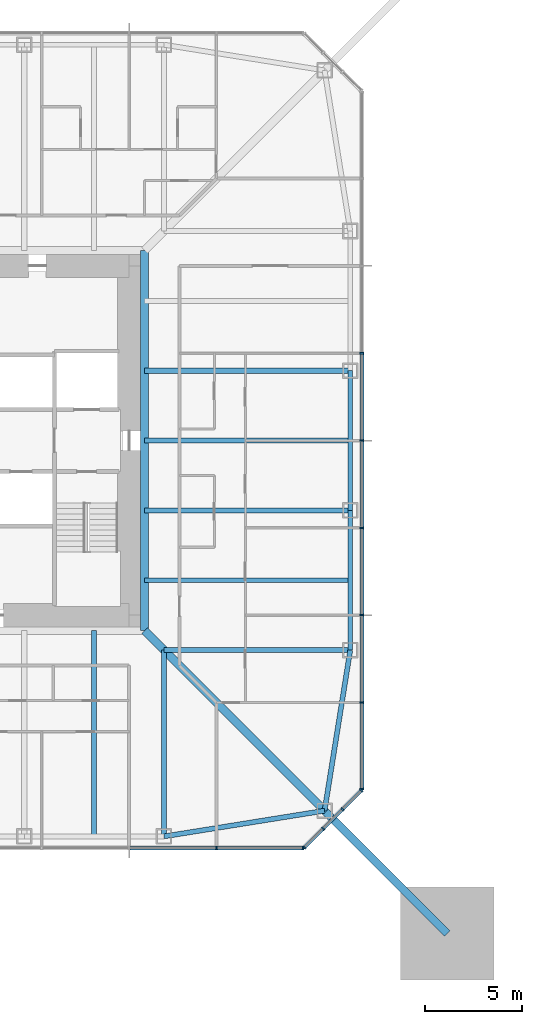
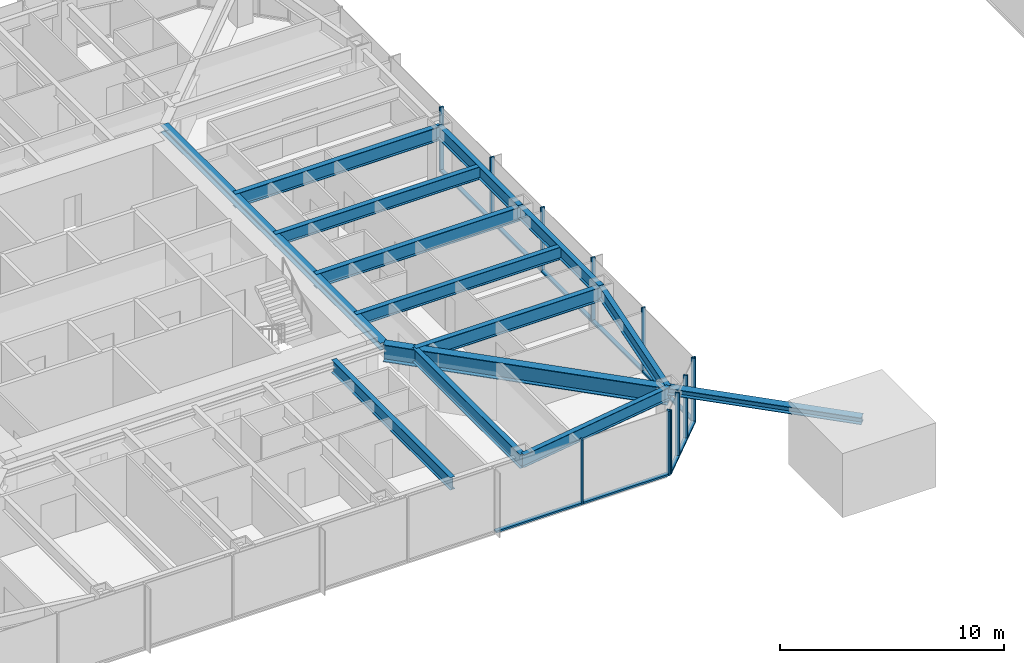
# One storey, part 5 of 25: 23 members, 13 beams, 3 elements without a shape of their own.
"""IFC4 building model written with IfcOpenShell, lengths in metres."""

from ifc_helpers import new_model, si_unit, direction, frame, origin, origin_2d, place, context, subcontext, project, spatial, rectangle, i_section, extrude, material, material_profile, profile_set, type_object, element, aggregate, save


model = new_model("IFC4")

# Units and contexts
model_context = context("Model", 3, precision=1e-05, world=origin(), true_north=direction((0.0, 1.0)))
body_context = subcontext(model_context, "Body", "Model", "MODEL_VIEW")
ifc_project = project(units=[si_unit("LENGTHUNIT", "METRE"), si_unit("AREAUNIT", "SQUARE_METRE"), si_unit("VOLUMEUNIT", "CUBIC_METRE"), si_unit("PLANEANGLEUNIT", "RADIAN"), si_unit("MASSUNIT", "GRAM", prefix="KILO")], contexts=[model_context])

# Site, building, storey
site_placement = place(None, origin())
site = spatial("IfcSite", under=ifc_project, at=site_placement, CompositionType="ELEMENT")
building_placement = place(site_placement, origin())
building = spatial("IfcBuilding", under=site, at=building_placement, Name="Iwan Alto Co-Living Towers", CompositionType="ELEMENT")
storey_placement = place(building_placement, frame((0.0, 0.0, 105.0)))
storey = spatial("IfcBuildingStorey", under=building, at=storey_placement, Name="L28", CompositionType="ELEMENT", Elevation=105.0)

# Curtain wall, members
ifc_material_1 = material(Name="Bronze aluminium unitised frame", Category="aluminium")
curtain_wall_type_1 = type_object("IfcCurtainWallType", Name="CURTAIN WALL CW-A", PredefinedType="NOTDEFINED", material=ifc_material_1)
curtain_wall_1_placement = place(storey_placement, origin())
curtain_wall_1 = element("IfcCurtainWall", 1, at=curtain_wall_1_placement, inside=storey, type_object=curtain_wall_type_1, Name="T1 curtain wall S L28", PredefinedType="NOTDEFINED")
ifc_material_2 = material(Name="Aluminium 6063-T6 bronze anodised", Category="aluminium")
ifc_material_profile_1 = material_profile(ifc_material_2, rectangle(XDim=0.199951171875, YDim=0.080078125, at=origin_2d()), Name="AL 80X200")
ifc_profile_set_1 = profile_set([ifc_material_profile_1], Name="Aluminium 6063-T6 bronze anodised")
member_type_1 = type_object("IfcMemberType", Name="CW-A MULLION 80X200", PredefinedType="MULLION", material=ifc_profile_set_1)
member_1_placement = place(storey_placement, frame((13.5, -21.0, 0.0), z_axis=(0.0, 0.0, 1.0), x_axis=(0.0, 1.0, 0.0)))
member_1 = element("IfcMember", 2, at=member_1_placement, type_object=member_type_1, Name="CW-A mullion 8", PredefinedType="MULLION", context=body_context, shape_type="SweptSolid", body=[
    extrude(rectangle(XDim=0.199951171875, YDim=0.080078125, at=origin_2d()), origin(), (0.0, 0.0, 1.0), 3.5),
])
member_2_placement = place(storey_placement, frame((17.9599609375, -21.0, 0.0), z_axis=(0.0, 0.0, 1.0), x_axis=(0.0, 1.0, 0.0)))
member_2 = element("IfcMember", 3, at=member_2_placement, type_object=member_type_1, Name="CW-A mullion 9", PredefinedType="MULLION", context=body_context, shape_type="SweptSolid", body=[
    extrude(rectangle(XDim=0.199951171875, YDim=0.080078125, at=origin_2d()), origin(), (0.0, 0.0, 1.0), 3.5),
])

curtain_wall_2_placement = place(storey_placement, origin())
curtain_wall_2 = element("IfcCurtainWall", 4, at=curtain_wall_2_placement, inside=storey, type_object=curtain_wall_type_1, Name="T1 curtain wall E L28", PredefinedType="NOTDEFINED")
member_3_placement = place(storey_placement, frame((21.0, -17.9599609375, 0.0), z_axis=(0.0, 0.0, 1.0), x_axis=(-1.0, 0.0, 0.0)))
member_3 = element("IfcMember", 5, at=member_3_placement, type_object=member_type_1, Name="CW-A mullion 1", PredefinedType="MULLION", context=body_context, shape_type="SweptSolid", body=[
    extrude(rectangle(XDim=0.199951171875, YDim=0.080078125, at=origin_2d()), origin(), (0.0, 0.0, 1.0), 3.5),
])
member_4_placement = place(storey_placement, frame((21.0, -13.5, 0.0), z_axis=(0.0, 0.0, 1.0), x_axis=(-1.0, 0.0, 0.0)))
member_4 = element("IfcMember", 6, at=member_4_placement, type_object=member_type_1, Name="CW-A mullion 2", PredefinedType="MULLION", context=body_context, shape_type="SweptSolid", body=[
    extrude(rectangle(XDim=0.199951171875, YDim=0.080078125, at=origin_2d()), origin(), (0.0, 0.0, 1.0), 3.5),
])
member_5_placement = place(storey_placement, frame((21.0, -9.0, 0.0), z_axis=(0.0, 0.0, 1.0), x_axis=(-1.0, 0.0, 0.0)))
member_5 = element("IfcMember", 7, at=member_5_placement, type_object=member_type_1, Name="CW-A mullion 3", PredefinedType="MULLION", context=body_context, shape_type="SweptSolid", body=[
    extrude(rectangle(XDim=0.199951171875, YDim=0.080078125, at=origin_2d()), origin(), (0.0, 0.0, 1.0), 3.5),
])
member_6_placement = place(storey_placement, frame((21.0, -4.5, 0.0), z_axis=(0.0, 0.0, 1.0), x_axis=(-1.0, 0.0, 0.0)))
member_6 = element("IfcMember", 8, at=member_6_placement, type_object=member_type_1, Name="CW-A mullion 4", PredefinedType="MULLION", context=body_context, shape_type="SweptSolid", body=[
    extrude(rectangle(XDim=0.199951171875, YDim=0.080078125, at=origin_2d()), origin(), (0.0, 0.0, 1.0), 3.5),
])
member_7_placement = place(storey_placement, frame((21.0, 0.0, 0.0), z_axis=(0.0, 0.0, 1.0), x_axis=(-1.0, 0.0, 0.0)))
member_7 = element("IfcMember", 9, at=member_7_placement, type_object=member_type_1, Name="CW-A mullion 5", PredefinedType="MULLION", context=body_context, shape_type="SweptSolid", body=[
    extrude(rectangle(XDim=0.199951171875, YDim=0.080078125, at=origin_2d()), origin(), (0.0, 0.0, 1.0), 3.5),
])
member_8_placement = place(storey_placement, frame((21.0, 4.5, 0.0), z_axis=(0.0, 0.0, 1.0), x_axis=(-1.0, 0.0, 0.0)))
member_8 = element("IfcMember", 10, at=member_8_placement, type_object=member_type_1, Name="CW-A mullion 6", PredefinedType="MULLION", context=body_context, shape_type="SweptSolid", body=[
    extrude(rectangle(XDim=0.199951171875, YDim=0.080078125, at=origin_2d()), origin(), (0.0, 0.0, 1.0), 3.5),
])

# Member
ifc_material_3 = material(Name="Aluminium 6063-T6 bronze anodised", Category="aluminium")
ifc_material_profile_2 = material_profile(ifc_material_3, rectangle(XDim=0.199951171875, YDim=0.10009765625, at=origin_2d()), Name="AL 200X100")
ifc_profile_set_2 = profile_set([ifc_material_profile_2], Name="Aluminium 6063-T6 bronze anodised")
member_type_2 = type_object("IfcMemberType", Name="CW-A TRANSOM 200X100", PredefinedType="USERDEFINED", material=ifc_profile_set_2)
member_9_placement = place(storey_placement, frame((9.0400390625, -21.0, 0.050048828125), z_axis=(1.0, 0.0, 0.0), x_axis=(0.0, 1.0, 0.0)))
member_9 = element("IfcMember", 11, at=member_9_placement, type_object=member_type_2, Name="CW-A transom 7.1", ObjectType="TRANSOM", PredefinedType="USERDEFINED", context=body_context, shape_type="SweptSolid", body=[
    extrude(rectangle(XDim=0.199951171875, YDim=0.10009765625, at=origin_2d()), origin(), (0.0, 0.0, 1.0), 4.419921875),
])

member_10_placement = place(storey_placement, frame((13.5400390625, -21.0, 0.050048828125), z_axis=(1.0, 0.0, 0.0), x_axis=(0.0, 1.0, 0.0)))
member_10 = element("IfcMember", 12, at=member_10_placement, type_object=member_type_2, Name="CW-A transom 8.1", ObjectType="TRANSOM", PredefinedType="USERDEFINED", context=body_context, shape_type="SweptSolid", body=[
    extrude(rectangle(XDim=0.199951171875, YDim=0.10009765625, at=origin_2d()), origin(), (0.0, 0.0, 1.0), 4.3798828125),
])

aggregate(curtain_wall_1, [member_1, member_2, member_9, member_10])

member_11_placement = place(storey_placement, frame((21.0, -17.919921875, 0.050048828125), z_axis=(0.0, 1.0, 0.0), x_axis=(-1.0, 0.0, 0.0)))
member_11 = element("IfcMember", 13, at=member_11_placement, type_object=member_type_2, Name="CW-A transom 1.1", ObjectType="TRANSOM", PredefinedType="USERDEFINED", context=body_context, shape_type="SweptSolid", body=[
    extrude(rectangle(XDim=0.199951171875, YDim=0.10009765625, at=origin_2d()), origin(), (0.0, 0.0, 1.0), 4.3798828125),
])

member_12_placement = place(storey_placement, frame((21.0, -13.4599609375, 0.050048828125), z_axis=(0.0, 1.0, 0.0), x_axis=(-1.0, 0.0, 0.0)))
member_12 = element("IfcMember", 14, at=member_12_placement, type_object=member_type_2, Name="CW-A transom 2.1", ObjectType="TRANSOM", PredefinedType="USERDEFINED", context=body_context, shape_type="SweptSolid", body=[
    extrude(rectangle(XDim=0.199951171875, YDim=0.10009765625, at=origin_2d()), origin(), (0.0, 0.0, 1.0), 4.419921875),
])

member_13_placement = place(storey_placement, frame((21.0, -8.9599609375, 0.050048828125), z_axis=(0.0, 1.0, 0.0), x_axis=(-1.0, 0.0, 0.0)))
member_13 = element("IfcMember", 15, at=member_13_placement, type_object=member_type_2, Name="CW-A transom 3.1", ObjectType="TRANSOM", PredefinedType="USERDEFINED", context=body_context, shape_type="SweptSolid", body=[
    extrude(rectangle(XDim=0.199951171875, YDim=0.10009765625, at=origin_2d()), origin(), (0.0, 0.0, 1.0), 4.419921875),
])

member_14_placement = place(storey_placement, frame((21.0, -4.4599609375, 0.050048828125), z_axis=(0.0, 1.0, 0.0), x_axis=(-1.0, 0.0, 0.0)))
member_14 = element("IfcMember", 16, at=member_14_placement, type_object=member_type_2, Name="CW-A transom 4.1", ObjectType="TRANSOM", PredefinedType="USERDEFINED", context=body_context, shape_type="SweptSolid", body=[
    extrude(rectangle(XDim=0.199951171875, YDim=0.10009765625, at=origin_2d()), origin(), (0.0, 0.0, 1.0), 4.419921875),
])

member_15_placement = place(storey_placement, frame((21.0, 0.0400390625, 0.050048828125), z_axis=(0.0, 1.0, 0.0), x_axis=(-1.0, 0.0, 0.0)))
member_15 = element("IfcMember", 17, at=member_15_placement, type_object=member_type_2, Name="CW-A transom 5.1", ObjectType="TRANSOM", PredefinedType="USERDEFINED", context=body_context, shape_type="SweptSolid", body=[
    extrude(rectangle(XDim=0.199951171875, YDim=0.10009765625, at=origin_2d()), origin(), (0.0, 0.0, 1.0), 4.419921875),
])

aggregate(curtain_wall_2, [member_3, member_4, member_5, member_6, member_7, member_8, member_11, member_12, member_13, member_14, member_15])

# Curtain wall, members
ifc_material_4 = material(Name="Bronze aluminium unitised frame", Category="aluminium")
curtain_wall_type_2 = type_object("IfcCurtainWallType", Name="CURTAIN WALL CW-B", PredefinedType="NOTDEFINED", material=ifc_material_4)
curtain_wall_3_placement = place(storey_placement, origin())
curtain_wall_3 = element("IfcCurtainWall", 18, at=curtain_wall_3_placement, inside=storey, type_object=curtain_wall_type_2, Name="T1 chamfer curtain wall SE L28", PredefinedType="NOTDEFINED")
ifc_material_5 = material(Name="Aluminium 6063-T6 bronze anodised", Category="aluminium")
ifc_material_profile_3 = material_profile(ifc_material_5, rectangle(XDim=0.199951171875, YDim=0.080078125, at=origin_2d()), Name="AL 80X200")
ifc_profile_set_3 = profile_set([ifc_material_profile_3], Name="Aluminium 6063-T6 bronze anodised")
member_type_3 = type_object("IfcMemberType", Name="CW-B MULLION 80X200", PredefinedType="MULLION", material=ifc_profile_set_3)
member_16_placement = place(storey_placement, frame((18.0283203125, -20.9716796875, 0.0), z_axis=(0.0, 0.0, 1.0), x_axis=(-0.707106781187, 0.707106781187, 0.0)))
member_16 = element("IfcMember", 19, at=member_16_placement, type_object=member_type_3, Name="CW-B mullion 1", PredefinedType="MULLION", context=body_context, shape_type="SweptSolid", body=[
    extrude(rectangle(XDim=0.199951171875, YDim=0.080078125, at=origin_2d()), origin(), (0.0, 0.0, 1.0), 3.5),
])
member_17_placement = place(storey_placement, frame((19.0, -20.0, 0.0), z_axis=(0.0, 0.0, 1.0), x_axis=(-0.707106781187, 0.707106781187, 0.0)))
member_17 = element("IfcMember", 20, at=member_17_placement, type_object=member_type_3, Name="CW-B mullion 2", PredefinedType="MULLION", context=body_context, shape_type="SweptSolid", body=[
    extrude(rectangle(XDim=0.199951171875, YDim=0.080078125, at=origin_2d()), origin(), (0.0, 0.0, 1.0), 3.5),
])
member_18_placement = place(storey_placement, frame((20.0, -19.0, 0.0), z_axis=(0.0, 0.0, 1.0), x_axis=(-0.707106781187, 0.707106781187, 0.0)))
member_18 = element("IfcMember", 21, at=member_18_placement, type_object=member_type_3, Name="CW-B mullion 3", PredefinedType="MULLION", context=body_context, shape_type="SweptSolid", body=[
    extrude(rectangle(XDim=0.199951171875, YDim=0.080078125, at=origin_2d()), origin(), (0.0, 0.0, 1.0), 3.5),
])
member_19_placement = place(storey_placement, frame((20.9716796875, -18.0283203125, 0.0), z_axis=(0.0, 0.0, 1.0), x_axis=(-0.707106781187, 0.707106781187, 0.0)))
member_19 = element("IfcMember", 22, at=member_19_placement, type_object=member_type_3, Name="CW-B mullion 4", PredefinedType="MULLION", context=body_context, shape_type="SweptSolid", body=[
    extrude(rectangle(XDim=0.199951171875, YDim=0.080078125, at=origin_2d()), origin(), (0.0, 0.0, 1.0), 3.5),
])
ifc_material_6 = material(Name="Aluminium 6063-T6 bronze anodised", Category="aluminium")
ifc_material_profile_4 = material_profile(ifc_material_6, rectangle(XDim=0.199951171875, YDim=0.10009765625, at=origin_2d()), Name="AL 200X100")
ifc_profile_set_4 = profile_set([ifc_material_profile_4], Name="Aluminium 6063-T6 bronze anodised")
member_type_4 = type_object("IfcMemberType", Name="CW-B TRANSOM 200X100", PredefinedType="USERDEFINED", material=ifc_profile_set_4)
member_20_placement = place(storey_placement, frame((18.056640625, -20.943359375, 0.050048828125), z_axis=(0.707106781187, 0.707106781187, 0.0), x_axis=(-0.707106781187, 0.707106781187, 0.0)))
member_20 = element("IfcMember", 23, at=member_20_placement, type_object=member_type_4, Name="CW-B transom 1.1", ObjectType="TRANSOM", PredefinedType="USERDEFINED", context=body_context, shape_type="SweptSolid", body=[
    extrude(rectangle(XDim=0.199951171875, YDim=0.10009765625, at=origin_2d()), origin(), (0.0, 0.0, 1.0), 1.2939453125),
])
member_21_placement = place(storey_placement, frame((19.0283203125, -19.9716796875, 0.050048828125), z_axis=(0.707106781187, 0.707106781187, 0.0), x_axis=(-0.707106781187, 0.707106781187, 0.0)))
member_21 = element("IfcMember", 24, at=member_21_placement, type_object=member_type_4, Name="CW-B transom 2.1", ObjectType="TRANSOM", PredefinedType="USERDEFINED", context=body_context, shape_type="SweptSolid", body=[
    extrude(rectangle(XDim=0.199951171875, YDim=0.10009765625, at=origin_2d()), origin(), (0.0, 0.0, 1.0), 1.334228515625),
])
member_22_placement = place(storey_placement, frame((20.0283203125, -18.9716796875, 0.050048828125), z_axis=(0.707106781187, 0.707106781187, 0.0), x_axis=(-0.707106781187, 0.707106781187, 0.0)))
member_22 = element("IfcMember", 25, at=member_22_placement, type_object=member_type_4, Name="CW-B transom 3.1", ObjectType="TRANSOM", PredefinedType="USERDEFINED", context=body_context, shape_type="SweptSolid", body=[
    extrude(rectangle(XDim=0.199951171875, YDim=0.10009765625, at=origin_2d()), origin(), (0.0, 0.0, 1.0), 1.2939453125),
])
aggregate(curtain_wall_3, [member_16, member_17, member_18, member_19, member_20, member_21, member_22])

# Beams
ifc_material_7 = material(Name="Steel ASTM A992 Gr 50", Category="steel")
ifc_material_profile_5 = material_profile(ifc_material_7, i_section(OverallWidth=0.398681640625, OverallDepth=0.385986328125, WebThickness=0.02099609375, FlangeThickness=0.033203125, at=origin_2d()), Name="W14X176")
ifc_profile_set_5 = profile_set([ifc_material_profile_5], Name="Steel ASTM A992 Gr 50")
beam_type_1 = type_object("IfcBeamType", Name="T1 CORE LEDGER BEAM W14X176", PredefinedType="BEAM", material=ifc_profile_set_5)
beam_1_placement = place(storey_placement, frame((9.79931640625, -9.79931640625, 3.076904296875), z_axis=(0.0, 1.0, 0.0), x_axis=(-1.0, 0.0, 0.0)))
element("IfcBeam", 26, at=beam_1_placement, inside=storey, type_object=beam_type_1, Name="T1 core ledger beam E L29", PredefinedType="BEAM", context=body_context, shape_type="SweptSolid", body=[
    extrude(i_section(OverallWidth=0.398681640625, OverallDepth=0.385986328125, WebThickness=0.02099609375, FlangeThickness=0.033203125, at=origin_2d()), origin(), (0.0, 0.0, 1.0), 19.5986328125),
])
ifc_material_8 = material(Name="Steel ASTM A992 Gr 50", Category="steel")
ifc_material_profile_6 = material_profile(ifc_material_8, i_section(OverallWidth=0.419189453125, OverallDepth=0.927001953125, WebThickness=0.019287109375, FlangeThickness=0.031982421875, at=origin_2d()), Name="W36X231")
ifc_profile_set_6 = profile_set([ifc_material_profile_6], Name="Steel ASTM A992 Gr 50")
beam_type_2 = type_object("IfcBeamType", Name="T1 CORNER GIRDER W36X231", PredefinedType="BEAM", material=ifc_profile_set_6)
beam_2_placement = place(storey_placement, frame((19.07568359375, -19.07568359375, 2.806396484375), z_axis=(-0.707106781187, 0.707106781187, 0.0), x_axis=(-0.707106781187, -0.707106781187, 0.0)))
element("IfcBeam", 27, at=beam_2_placement, inside=storey, type_object=beam_type_2, Name="T1 corner girder CSE L29", PredefinedType="BEAM", context=body_context, shape_type="SweptSolid", body=[
    extrude(i_section(OverallWidth=0.419189453125, OverallDepth=0.927001953125, WebThickness=0.019287109375, FlangeThickness=0.031982421875, at=origin_2d()), origin(), (0.0, 0.0, 1.0), 13.11865234375),
])
ifc_material_9 = material(Name="Steel ASTM A992 Gr 50", Category="steel")
ifc_material_profile_7 = material_profile(ifc_material_9, i_section(OverallWidth=0.25390625, OverallDepth=0.683349609375, WebThickness=0.012451171875, FlangeThickness=0.018798828125, at=origin_2d()), Name="W27X94")
ifc_profile_set_7 = profile_set([ifc_material_profile_7], Name="Steel ASTM A992 Gr 50")
beam_type_3 = type_object("IfcBeamType", Name="T1 EDGE BEAM W27X94", PredefinedType="BEAM", material=ifc_profile_set_7)
for number, where, z_axis, x_axis, name in (
    (28, (10.800048828125, -20.39990234375, 2.928466796875), (0.987438450439, 0.158004134737, 0.0), (-0.158004134737, 0.987438450439, 0.0), "T1 edge beam S4 L29"),
    (29, (19.07568359375, -19.07568359375, 2.928466796875), (0.158004134737, 0.987438450439, 0.0), (-0.987438450439, 0.158004134737, 0.0), "T1 edge beam CSE L29"),
):
    element("IfcBeam", number, at=place(storey_placement, frame(where, z_axis=z_axis, x_axis=x_axis)), inside=storey, type_object=beam_type_3, Name=name, PredefinedType="BEAM", context=body_context, shape_type="SweptSolid", body=[
        extrude(i_section(OverallWidth=0.25390625, OverallDepth=0.683349609375, WebThickness=0.012451171875, FlangeThickness=0.018798828125, at=origin_2d()), origin(), (0.0, 0.0, 1.0), 8.380859375),
    ])
beam_3_placement = place(storey_placement, frame((20.39990234375, -10.800048828125, 2.928466796875), z_axis=(0.0, 1.0, 0.0), x_axis=(-1.0, 0.0, 0.0)))
element("IfcBeam", 30, at=beam_3_placement, inside=storey, type_object=beam_type_3, Name="T1 edge beam E1 L29", PredefinedType="BEAM", context=body_context, shape_type="SweptSolid", body=[
    extrude(i_section(OverallWidth=0.25390625, OverallDepth=0.683349609375, WebThickness=0.012451171875, FlangeThickness=0.018798828125, at=origin_2d()), origin(), (0.0, 0.0, 1.0), 7.199951171875),
])
beam_4_placement = place(storey_placement, frame((20.39990234375, -3.60009765625, 2.928466796875), z_axis=(0.0, 1.0, 0.0), x_axis=(-1.0, 0.0, 0.0)))
element("IfcBeam", 31, at=beam_4_placement, inside=storey, type_object=beam_type_3, Name="T1 edge beam E2 L29", PredefinedType="BEAM", context=body_context, shape_type="SweptSolid", body=[
    extrude(i_section(OverallWidth=0.25390625, OverallDepth=0.683349609375, WebThickness=0.012451171875, FlangeThickness=0.018798828125, at=origin_2d()), origin(), (0.0, 0.0, 1.0), 7.2001953125),
])

# Member
ifc_material_10 = material(Name="Steel ASTM A992 Gr 50", Category="steel")
ifc_material_profile_8 = material_profile(ifc_material_10, i_section(OverallWidth=0.393798828125, OverallDepth=0.3759765625, WebThickness=0.017333984375, FlangeThickness=0.027587890625, at=origin_2d()), Name="W14X145")
ifc_profile_set_8 = profile_set([ifc_material_profile_8], Name="Steel ASTM A992 Gr 50")
member_type_5 = type_object("IfcMemberType", Name="T1 MEGA COLUMN FLOOR TIE W14X145", PredefinedType="STRUT", material=ifc_profile_set_8)
member_23_placement = place(storey_placement, frame((25.39990234375, -25.39990234375, 3.08203125), z_axis=(-0.707106781187, 0.707106781187, 0.0), x_axis=(-0.707106781187, -0.707106781187, 0.0)))
element("IfcMember", 32, at=member_23_placement, inside=storey, type_object=member_type_5, Name="T1 mega column floor tie SE L29", PredefinedType="STRUT", context=body_context, shape_type="SweptSolid", body=[
    extrude(i_section(OverallWidth=0.393798828125, OverallDepth=0.3759765625, WebThickness=0.017333984375, FlangeThickness=0.027587890625, at=origin_2d()), origin(), (0.0, 0.0, 1.0), 8.94384765625),
])

# Beams
ifc_material_11 = material(Name="Steel ASTM A992 Gr 50", Category="steel")
ifc_material_profile_9 = material_profile(ifc_material_11, i_section(OverallWidth=0.2666015625, OverallDepth=0.761962890625, WebThickness=0.014404296875, FlangeThickness=0.021484375, at=origin_2d()), Name="W30X116")
ifc_profile_set_9 = profile_set([ifc_material_profile_9], Name="Steel ASTM A992 Gr 50")
beam_type_4 = type_object("IfcBeamType", Name="T1 RADIAL BEAM W30X116", PredefinedType="BEAM", material=ifc_profile_set_9)
for number, where, z_axis, x_axis, name in (
    (33, (10.800048828125, -20.39990234375, 2.888916015625), (0.0, 1.0, 0.0), (-1.0, 0.0, 0.0), "T1 radial beam S4 L29"),
    (34, (20.39990234375, -10.800048828125, 2.888916015625), (-1.0, 0.0, 0.0), (0.0, -1.0, 0.0), "T1 radial beam E1 L29"),
):
    element("IfcBeam", number, at=place(storey_placement, frame(where, z_axis=z_axis, x_axis=x_axis)), inside=storey, type_object=beam_type_4, Name=name, PredefinedType="BEAM", context=body_context, shape_type="SweptSolid", body=[
        extrude(i_section(OverallWidth=0.2666015625, OverallDepth=0.761962890625, WebThickness=0.014404296875, FlangeThickness=0.021484375, at=origin_2d()), origin(), (0.0, 0.0, 1.0), 9.599853515625),
    ])
for number, where, z_axis, x_axis, name in (
    (35, (20.39990234375, -3.60009765625, 2.888916015625), (-1.0, 0.0, 0.0), (0.0, -1.0, 0.0), "T1 radial beam E2 L29"),
    (36, (20.39990234375, 3.60009765625, 2.888916015625), (-1.0, 0.0, 0.0), (0.0, -1.0, 0.0), "T1 radial beam E3 L29"),
):
    element("IfcBeam", number, at=place(storey_placement, frame(where, z_axis=z_axis, x_axis=x_axis)), inside=storey, type_object=beam_type_4, Name=name, PredefinedType="BEAM", context=body_context, shape_type="SweptSolid", body=[
        extrude(i_section(OverallWidth=0.2666015625, OverallDepth=0.761962890625, WebThickness=0.014404296875, FlangeThickness=0.021484375, at=origin_2d()), origin(), (0.0, 0.0, 1.0), 10.6005859375),
    ])
ifc_material_12 = material(Name="Steel ASTM A992 Gr 50", Category="steel")
ifc_material_profile_10 = material_profile(ifc_material_12, i_section(OverallWidth=0.25390625, OverallDepth=0.683349609375, WebThickness=0.012451171875, FlangeThickness=0.018798828125, at=origin_2d()), Name="W27X94")
ifc_profile_set_10 = profile_set([ifc_material_profile_10], Name="Steel ASTM A992 Gr 50")
beam_type_5 = type_object("IfcBeamType", Name="T1 SECONDARY BEAM W27X94", PredefinedType="JOIST", material=ifc_profile_set_10)
for number, where, z_axis, x_axis, name in (
    (37, (7.199951171875, -20.39990234375, 2.928466796875), (0.0, 1.0, 0.0), (-1.0, 0.0, 0.0), "T1 secondary beam S3 L29"),
    (38, (20.39990234375, -7.199951171875, 2.928466796875), (-1.0, 0.0, 0.0), (0.0, -1.0, 0.0), "T1 secondary beam E1 L29"),
    (39, (20.39990234375, 0.0, 2.928466796875), (-1.0, 0.0, 0.0), (0.0, -1.0, 0.0), "T1 secondary beam E2 L29"),
):
    element("IfcBeam", number, at=place(storey_placement, frame(where, z_axis=z_axis, x_axis=x_axis)), inside=storey, type_object=beam_type_5, Name=name, PredefinedType="JOIST", context=body_context, shape_type="SweptSolid", body=[
        extrude(i_section(OverallWidth=0.25390625, OverallDepth=0.683349609375, WebThickness=0.012451171875, FlangeThickness=0.018798828125, at=origin_2d()), origin(), (0.0, 0.0, 1.0), 10.6005859375),
    ])

save(model, "model.ifc")
